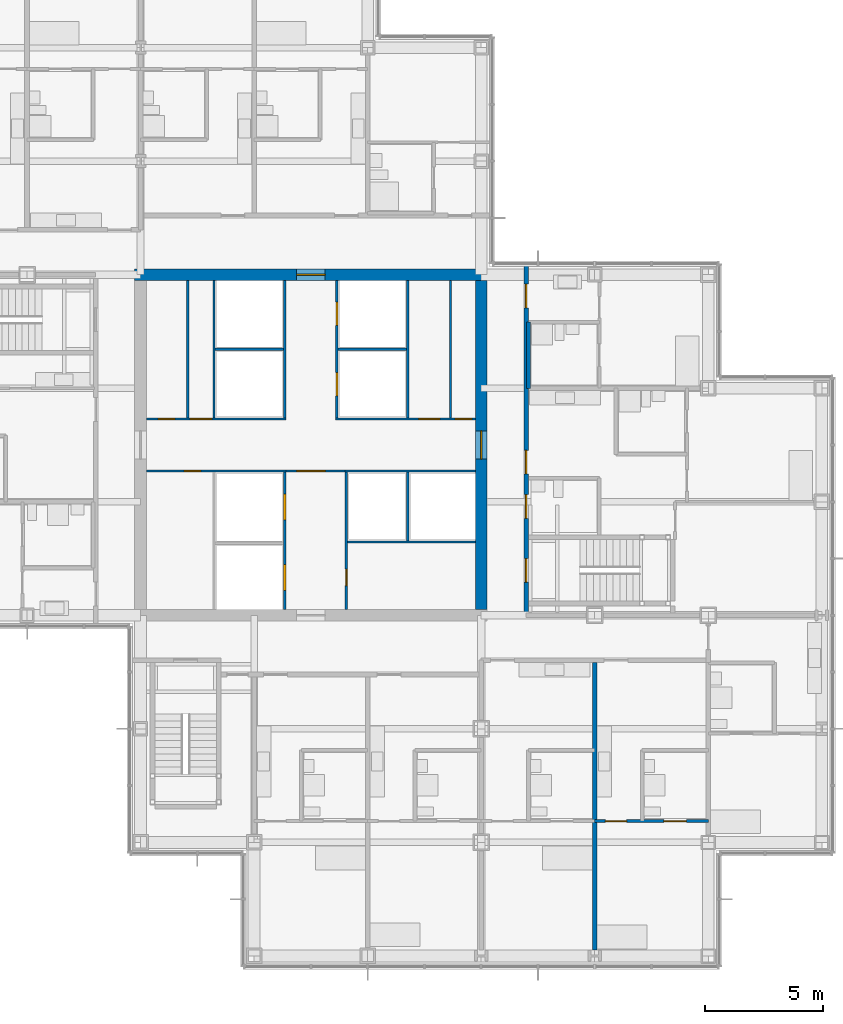
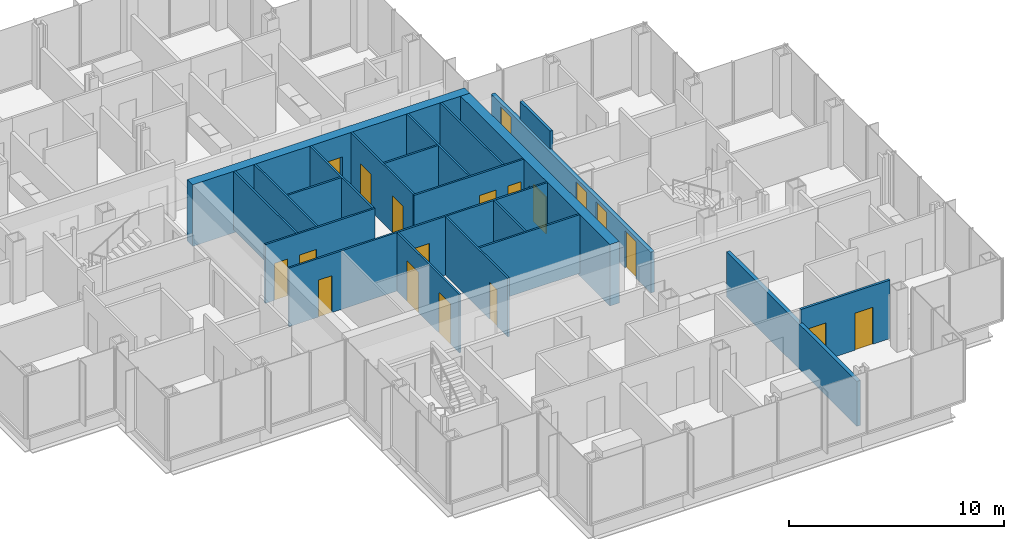
# One storey, part 14 of 19: 23 walls, 19 doors, 19 openings.
"""IFC4 building model written with IfcOpenShell, lengths in metres."""

from ifc_helpers import new_model, si_unit, direction, frame, frame_2d, origin, place, context, subcontext, project, spatial, rectangle, extrude, material, layer, layer_set, type_object, element, fill, save


model = new_model("IFC4")

# Units and contexts
model_context = context("Model", 3, precision=1e-05, world=origin(), true_north=direction((0.0, 1.0)))
body_context = subcontext(model_context, "Body", "Model", "MODEL_VIEW")
ifc_project = project(units=[si_unit("LENGTHUNIT", "METRE"), si_unit("AREAUNIT", "SQUARE_METRE"), si_unit("VOLUMEUNIT", "CUBIC_METRE"), si_unit("PLANEANGLEUNIT", "RADIAN"), si_unit("MASSUNIT", "GRAM", prefix="KILO")], contexts=[model_context])

# Site, building, storey
site_placement = place(None, origin())
site = spatial("IfcSite", under=ifc_project, at=site_placement, CompositionType="ELEMENT")
building_placement = place(site_placement, origin())
building = spatial("IfcBuilding", under=site, at=building_placement, Name="Kvirike Care Tower", CompositionType="ELEMENT")
storey_placement = place(building_placement, frame((0.0, 0.0, 87.5)))
storey = spatial("IfcBuildingStorey", under=building, at=storey_placement, Name="L23", CompositionType="ELEMENT", Elevation=87.5)

# Wall
ifc_material_1 = material(Name="Moisture-resistant board partition", Category="gypsum")
ifc_layer_1 = layer(ifc_material_1, 0.14990234375)
ifc_layer_set_1 = layer_set([ifc_layer_1], Name="BATHROOM WALL 150")
wall_type_1 = type_object("IfcWallType", Name="BATHROOM WALL 150", PredefinedType="PARTITIONING", material=ifc_layer_set_1)
wall_1_placement = place(storey_placement, frame((30.800048828125, 38.39990234375, 0.0), z_axis=(0.0, 0.0, 1.0), x_axis=(0.0, 1.0, 0.0)))
element("IfcWall", 1, at=wall_1_placement, inside=storey, type_object=wall_type_1, Name="Bathroom Wall 150 L23", PredefinedType="PARTITIONING", context=body_context, shape_type="SweptSolid", body=[
    extrude(rectangle(XDim=2.800048828125, YDim=0.14990234375, at=frame_2d((1.39990234375, 0.0))), origin(), (0.0, 0.0, 1.0), 3.330078125),
])

# Wall, opening, door
ifc_material_2 = material(Name="Concrete C50/60", Category="concrete")
ifc_layer_2 = layer(ifc_material_2, 0.5)
ifc_layer_set_2 = layer_set([ifc_layer_2], Name="CORE WALL 500 C50-60")
wall_type_2 = type_object("IfcWallType", Name="CORE WALL 500 C50-60", PredefinedType="SHEAR", material=ifc_layer_set_2)
wall_2_placement = place(storey_placement, frame((29.050048828125, 43.199951171875, -0.169921875), z_axis=(0.0, 0.0, 1.0), x_axis=(-1.0, 0.0, 0.0)))
wall_2 = element("IfcWall", 2, at=wall_2_placement, inside=storey, type_object=wall_type_2, Name="Core wall N L23", PredefinedType="SHEAR", context=body_context, shape_type="SweptSolid", body=[
    extrude(rectangle(XDim=14.900146484375, YDim=0.5, at=frame_2d((7.4501953125, 0.0))), origin(), (0.0, 0.0, 1.0), 3.5),
])
opening_1_placement = place(wall_2_placement, frame((6.85009765625, 0.0, 0.169921875)))
opening_1 = element("IfcOpeningElement", 3, at=opening_1_placement, cuts=wall_2, Name="Opening 23-068", PredefinedType="OPENING", context=body_context, shape_type="SweptSolid", body=[
    extrude(rectangle(XDim=1.199951171875, YDim=2.10009765625, at=frame_2d((0.60009765625, 1.050048828125))), frame((0.0, 0.260498046875, 0.0), z_axis=(0.0, -1.0, 0.0), x_axis=(1.0, 0.0, 0.0)), (0.0, 0.0, 1.0), 0.52099609375),
])
ifc_material_3 = material(Name="Timber door set", Category="wood")
door_type_1 = type_object("IfcDoorType", Name="CORE DOOR 1200", OperationType="SINGLE_SWING_LEFT", PredefinedType="DOOR", material=ifc_material_3)
door_1_placement = place(opening_1_placement, origin())
door_1 = element("IfcDoor", 4, at=door_1_placement, inside=storey, type_object=door_type_1, Name="Core door N L23", OperationType="SINGLE_SWING_LEFT", OverallHeight=2.10009765625, OverallWidth=1.199951171875, PredefinedType="DOOR", context=body_context, shape_type="SweptSolid", body=[
    extrude(rectangle(XDim=1.199951171875, YDim=2.10009765625, at=frame_2d((0.60009765625, 1.050048828125))), frame((0.0, 0.02685546875, 0.0), z_axis=(0.0, -1.0, 0.0), x_axis=(1.0, 0.0, 0.0)), (0.0, 0.0, 1.0), 0.053955078125),
])
fill(opening_1, door_1)

wall_3_placement = place(storey_placement, frame((28.800048828125, 29.050048828125, -0.169921875), z_axis=(0.0, 0.0, 1.0), x_axis=(0.0, 1.0, 0.0)))
wall_3 = element("IfcWall", 5, at=wall_3_placement, inside=storey, type_object=wall_type_2, Name="Core wall E L23", PredefinedType="SHEAR", context=body_context, shape_type="SweptSolid", body=[
    extrude(rectangle(XDim=13.89990234375, YDim=0.5, at=frame_2d((6.949951171875, 0.0))), origin(), (0.0, 0.0, 1.0), 3.5),
])
opening_2_placement = place(wall_3_placement, frame((6.35009765625, 0.0, 0.169921875)))
opening_2 = element("IfcOpeningElement", 6, at=opening_2_placement, cuts=wall_3, Name="Opening 23-067", PredefinedType="OPENING", context=body_context, shape_type="SweptSolid", body=[
    extrude(rectangle(XDim=1.199951171875, YDim=2.10009765625, at=frame_2d((0.60009765625, 1.050048828125))), frame((0.0, 0.260498046875, 0.0), z_axis=(0.0, -1.0, 0.0), x_axis=(1.0, 0.0, 0.0)), (0.0, 0.0, 1.0), 0.52099609375),
])
door_2_placement = place(opening_2_placement, origin())
door_2 = element("IfcDoor", 7, at=door_2_placement, inside=storey, type_object=door_type_1, Name="Core door E L23", OperationType="SINGLE_SWING_LEFT", OverallHeight=2.10009765625, OverallWidth=1.199951171875, PredefinedType="DOOR", context=body_context, shape_type="SweptSolid", body=[
    extrude(rectangle(XDim=1.199951171875, YDim=2.10009765625, at=frame_2d((0.60009765625, 1.050048828125))), frame((0.0, 0.02685546875, 0.0), z_axis=(0.0, -1.0, 0.0), x_axis=(1.0, 0.0, 0.0)), (0.0, 0.0, 1.0), 0.053955078125),
])
fill(opening_2, door_2)

# Wall, openings, doors
ifc_material_4 = material(Name="Plasterboard corridor wall", Category="gypsum")
ifc_layer_3 = layer(ifc_material_4, 0.199951171875)
ifc_layer_set_3 = layer_set([ifc_layer_3], Name="CORRIDOR WALL 200")
wall_type_3 = type_object("IfcWallType", Name="CORRIDOR WALL 200", PredefinedType="PARTITIONING", material=ifc_layer_set_3)
wall_4_placement = place(storey_placement, frame((30.699951171875, 28.800048828125, 0.0), z_axis=(0.0, 0.0, 1.0), x_axis=(0.0, 1.0, 0.0)))
wall_4 = element("IfcWall", 8, at=wall_4_placement, inside=storey, type_object=wall_type_3, Name="Corridor Wall 200 L23", PredefinedType="PARTITIONING", context=body_context, shape_type="SweptSolid", body=[
    extrude(rectangle(XDim=14.83984375, YDim=0.199951171875, at=frame_2d((7.419921875, 0.0))), origin(), (0.0, 0.0, 1.0), 2.320068359375),
])
opening_3_placement = place(wall_4_placement, frame((1.39990234375, 0.0, 0.0)))
opening_3 = element("IfcOpeningElement", 9, at=opening_3_placement, cuts=wall_4, Name="Opening 23-050", PredefinedType="OPENING", context=body_context, shape_type="SweptSolid", body=[
    extrude(rectangle(XDim=1.0, YDim=2.10009765625, at=frame_2d((0.5, 1.050048828125))), frame((0.0, 0.110595703125, 0.0), z_axis=(0.0, -1.0, 0.0), x_axis=(1.0, 0.0, 0.0)), (0.0, 0.0, 1.0), 0.220947265625),
])
opening_4_placement = place(wall_4_placement, frame((4.10009765625, 0.0, 0.0)))
opening_4 = element("IfcOpeningElement", 10, at=opening_4_placement, cuts=wall_4, Name="Opening 23-051", PredefinedType="OPENING", context=body_context, shape_type="SweptSolid", body=[
    extrude(rectangle(XDim=1.0, YDim=2.10009765625, at=frame_2d((0.5, 1.050048828125))), frame((0.0, 0.110595703125, 0.0), z_axis=(0.0, -1.0, 0.0), x_axis=(1.0, 0.0, 0.0)), (0.0, 0.0, 1.0), 0.220947265625),
])
opening_5_placement = place(wall_4_placement, frame((5.97509765625, 0.0, 0.0)))
opening_5 = element("IfcOpeningElement", 11, at=opening_5_placement, cuts=wall_4, Name="Opening 23-052", PredefinedType="OPENING", context=body_context, shape_type="SweptSolid", body=[
    extrude(rectangle(XDim=1.0, YDim=2.10009765625, at=frame_2d((0.5, 1.050048828125))), frame((0.0, 0.110595703125, 0.0), z_axis=(0.0, -1.0, 0.0), x_axis=(1.0, 0.0, 0.0)), (0.0, 0.0, 1.0), 0.220947265625),
])
opening_6_placement = place(wall_4_placement, frame((13.0, 0.0, 0.0)))
opening_6 = element("IfcOpeningElement", 12, at=opening_6_placement, cuts=wall_4, Name="Opening 23-053", PredefinedType="OPENING", context=body_context, shape_type="SweptSolid", body=[
    extrude(rectangle(XDim=1.0, YDim=2.10009765625, at=frame_2d((0.5, 1.050048828125))), frame((0.0, 0.110595703125, 0.0), z_axis=(0.0, -1.0, 0.0), x_axis=(1.0, 0.0, 0.0)), (0.0, 0.0, 1.0), 0.220947265625),
])
ifc_material_5 = material(Name="Timber door set", Category="wood")
door_type_2 = type_object("IfcDoorType", Name="FLAT ENTRANCE DOOR 1000", OperationType="SINGLE_SWING_LEFT", PredefinedType="DOOR", material=ifc_material_5)
door_3_placement = place(opening_5_placement, frame((1.0, 0.0, 0.0), z_axis=(0.0, 0.0, 1.0), x_axis=(-1.0, 0.0, 0.0)))
door_3 = element("IfcDoor", 13, at=door_3_placement, inside=storey, type_object=door_type_2, Name="Assisted living suite entrance", OperationType="SINGLE_SWING_LEFT", OverallHeight=2.10009765625, OverallWidth=1.0, PredefinedType="DOOR", context=body_context, shape_type="SweptSolid", body=[
    extrude(rectangle(XDim=1.0, YDim=2.10009765625, at=frame_2d((0.5, 1.050048828125))), frame((0.0, 0.02685546875, 0.0), z_axis=(0.0, -1.0, 0.0), x_axis=(1.0, 0.0, 0.0)), (0.0, 0.0, 1.0), 0.053955078125),
])
fill(opening_5, door_3)
door_4_placement = place(opening_6_placement, frame((1.0, 0.0, 0.0), z_axis=(0.0, 0.0, 1.0), x_axis=(-1.0, 0.0, 0.0)))
door_4 = element("IfcDoor", 14, at=door_4_placement, inside=storey, type_object=door_type_2, Name="Assisted living suite entrance", OperationType="SINGLE_SWING_RIGHT", OverallHeight=2.10009765625, OverallWidth=1.0, PredefinedType="DOOR", context=body_context, shape_type="SweptSolid", body=[
    extrude(rectangle(XDim=1.0, YDim=2.10009765625, at=frame_2d((0.5, 1.050048828125))), frame((0.0, 0.02685546875, 0.0), z_axis=(0.0, -1.0, 0.0), x_axis=(1.0, 0.0, 0.0)), (0.0, 0.0, 1.0), 0.053955078125),
])
fill(opening_6, door_4)
ifc_material_6 = material(Name="Timber door set", Category="wood")
door_type_3 = type_object("IfcDoorType", Name="STAIR DOOR 1000", OperationType="SINGLE_SWING_LEFT", PredefinedType="DOOR", material=ifc_material_6)
door_5_placement = place(opening_3_placement, frame((1.0, 0.0, 0.0), z_axis=(0.0, 0.0, 1.0), x_axis=(-1.0, 0.0, 0.0)))
door_5 = element("IfcDoor", 15, at=door_5_placement, inside=storey, type_object=door_type_3, Name="Stair 2 door", OperationType="SINGLE_SWING_LEFT", OverallHeight=2.10009765625, OverallWidth=1.0, PredefinedType="DOOR", context=body_context, shape_type="SweptSolid", body=[
    extrude(rectangle(XDim=1.0, YDim=2.10009765625, at=frame_2d((0.5, 1.050048828125))), frame((0.0, 0.031982421875, 0.0), z_axis=(0.0, -1.0, 0.0), x_axis=(1.0, 0.0, 0.0)), (0.0, 0.0, 1.0), 0.06396484375),
])
fill(opening_3, door_5)
ifc_material_7 = material(Name="Timber door set", Category="wood")
door_type_4 = type_object("IfcDoorType", Name="WC DOOR 1000", OperationType="SINGLE_SWING_LEFT", PredefinedType="DOOR", material=ifc_material_7)
door_6_placement = place(opening_4_placement, frame((1.0, 0.0, 0.0), z_axis=(0.0, 0.0, 1.0), x_axis=(-1.0, 0.0, 0.0)))
door_6 = element("IfcDoor", 16, at=door_6_placement, inside=storey, type_object=door_type_4, Name="Accessible WC door", OperationType="SINGLE_SWING_LEFT", OverallHeight=2.10009765625, OverallWidth=1.0, PredefinedType="DOOR", context=body_context, shape_type="SweptSolid", body=[
    extrude(rectangle(XDim=1.0, YDim=2.10009765625, at=frame_2d((0.5, 1.050048828125))), frame((0.0, 0.02685546875, 0.0), z_axis=(0.0, -1.0, 0.0), x_axis=(1.0, 0.0, 0.0)), (0.0, 0.0, 1.0), 0.053955078125),
])
fill(opening_4, door_6)

ifc_material_8 = material(Name="Plasterboard partition", Category="gypsum")
ifc_layer_4 = layer(ifc_material_8, 0.1201171875)
ifc_layer_set_4 = layer_set([ifc_layer_4], Name="PARTITION 120")
wall_type_4 = type_object("IfcWallType", Name="PARTITION 120", PredefinedType="PARTITIONING", material=ifc_layer_set_4)
wall_5_placement = place(storey_placement, frame((33.60009765625, 20.10009765625, 0.0), z_axis=(0.0, 0.0, 1.0), x_axis=(1.0, 0.0, 0.0)))
wall_5 = element("IfcWall", 17, at=wall_5_placement, inside=storey, type_object=wall_type_4, Name="Partition 120 L23", PredefinedType="PARTITIONING", context=body_context, shape_type="SweptSolid", body=[
    extrude(rectangle(XDim=4.7998046875, YDim=0.1201171875, at=frame_2d((2.39990234375, 0.0))), origin(), (0.0, 0.0, 1.0), 3.330078125),
])
opening_7_placement = place(wall_5_placement, frame((0.449951171875, 0.0, 0.0)))
opening_7 = element("IfcOpeningElement", 18, at=opening_7_placement, cuts=wall_5, Name="Opening 23-038", PredefinedType="OPENING", context=body_context, shape_type="SweptSolid", body=[
    extrude(rectangle(XDim=0.89990234375, YDim=2.10009765625, at=frame_2d((0.449951171875, 1.050048828125))), frame((0.0, 0.070556640625, 0.0), z_axis=(0.0, -1.0, 0.0), x_axis=(1.0, 0.0, 0.0)), (0.0, 0.0, 1.0), 0.14111328125),
])
opening_8_placement = place(wall_5_placement, frame((2.925048828125, 0.0, 0.0)))
opening_8 = element("IfcOpeningElement", 19, at=opening_8_placement, cuts=wall_5, Name="Opening 23-039", PredefinedType="OPENING", context=body_context, shape_type="SweptSolid", body=[
    extrude(rectangle(XDim=0.949951171875, YDim=2.10009765625, at=frame_2d((0.47509765625, 1.050048828125))), frame((0.0, 0.070556640625, 0.0), z_axis=(0.0, -1.0, 0.0), x_axis=(1.0, 0.0, 0.0)), (0.0, 0.0, 1.0), 0.14111328125),
])
ifc_material_9 = material(Name="Timber door set", Category="wood")
door_type_5 = type_object("IfcDoorType", Name="EN-SUITE SLIDING DOOR 950", OperationType="SLIDING_TO_LEFT", PredefinedType="DOOR", material=ifc_material_9)
door_7_placement = place(opening_8_placement, origin())
door_7 = element("IfcDoor", 20, at=door_7_placement, inside=storey, type_object=door_type_5, Name="En-suite door", OperationType="SLIDING_TO_LEFT", OverallHeight=2.10009765625, OverallWidth=0.949951171875, PredefinedType="DOOR", context=body_context, shape_type="SweptSolid", body=[
    extrude(rectangle(XDim=0.949951171875, YDim=2.10009765625, at=frame_2d((0.47509765625, 1.050048828125))), frame((0.0, 0.02197265625, 0.0), z_axis=(0.0, -1.0, 0.0), x_axis=(1.0, 0.0, 0.0)), (0.0, 0.0, 1.0), 0.0439453125),
])
fill(opening_8, door_7)
ifc_material_10 = material(Name="Timber door set", Category="wood")
door_type_6 = type_object("IfcDoorType", Name="INTERNAL DOOR 900", OperationType="SINGLE_SWING_LEFT", PredefinedType="DOOR", material=ifc_material_10)
door_8_placement = place(opening_7_placement, origin())
door_8 = element("IfcDoor", 21, at=door_8_placement, inside=storey, type_object=door_type_6, Name="Assisted living suite door", OperationType="SINGLE_SWING_RIGHT", OverallHeight=2.10009765625, OverallWidth=0.89990234375, PredefinedType="DOOR", context=body_context, shape_type="SweptSolid", body=[
    extrude(rectangle(XDim=0.89990234375, YDim=2.10009765625, at=frame_2d((0.449951171875, 1.050048828125))), frame((0.0, 0.02197265625, 0.0), z_axis=(0.0, -1.0, 0.0), x_axis=(1.0, 0.0, 0.0)), (0.0, 0.0, 1.0), 0.0439453125),
])
fill(opening_7, door_8)

# Walls
ifc_material_11 = material(Name="Plasterboard party wall", Category="gypsum")
ifc_layer_5 = layer(ifc_material_11, 0.199951171875)
ifc_layer_set_5 = layer_set([ifc_layer_5], Name="PARTY WALL 200")
wall_type_5 = type_object("IfcWallType", Name="PARTY WALL 200", PredefinedType="PARTITIONING", material=ifc_layer_set_5)
wall_6_placement = place(storey_placement, frame((33.60009765625, 14.64697265625, 0.0), z_axis=(0.0, 0.0, 1.0), x_axis=(0.0, 1.0, 0.0)))
element("IfcWall", 22, at=wall_6_placement, inside=storey, type_object=wall_type_5, Name="Party Wall 200 L23", PredefinedType="PARTITIONING", context=body_context, shape_type="SweptSolid", body=[
    extrude(rectangle(XDim=12.153076171875, YDim=0.199951171875, at=frame_2d((6.07666015625, 0.0))), origin(), (0.0, 0.0, 1.0), 2.550048828125),
])
ifc_material_12 = material(Name="Gypsum shaft wall system", Category="gypsum")
ifc_layer_6 = layer(ifc_material_12, 0.10009765625)
ifc_layer_set_6 = layer_set([ifc_layer_6], Name="SHAFT WALL 100")
wall_type_6 = type_object("IfcWallType", Name="SHAFT WALL 100", PredefinedType="SOLIDWALL", material=ifc_layer_set_6)
for number, where, z_axis, x_axis, name in (
    (23, (16.39990234375, 37.14990234375, 0.0), (0.0, 0.0, 1.0), (0.0, 1.0, 0.0), "Shaft Wall 100 L23"),
    (24, (27.5, 37.14990234375, 0.0), (0.0, 0.0, 1.0), (0.0, 1.0, 0.0), "Shaft Wall 100 L23"),
):
    element("IfcWall", number, at=place(storey_placement, frame(where, z_axis=z_axis, x_axis=x_axis)), inside=storey, type_object=wall_type_6, Name=name, PredefinedType="SOLIDWALL", context=body_context, shape_type="SweptSolid", body=[
        extrude(rectangle(XDim=5.800048828125, YDim=0.10009765625, at=frame_2d((2.89990234375, 0.0))), origin(), (0.0, 0.0, 1.0), 3.330078125),
    ])

# Wall, openings, doors
wall_7_placement = place(storey_placement, frame((20.5, 29.050048828125, 0.0), z_axis=(0.0, 0.0, 1.0), x_axis=(0.0, 1.0, 0.0)))
wall_7 = element("IfcWall", 25, at=wall_7_placement, inside=storey, type_object=wall_type_6, Name="Shaft Wall 100 L23", PredefinedType="SOLIDWALL", context=body_context, shape_type="SweptSolid", body=[
    extrude(rectangle(XDim=5.800048828125, YDim=0.10009765625, at=frame_2d((2.89990234375, 0.0))), origin(), (0.0, 0.0, 1.0), 3.330078125),
])
opening_9_placement = place(wall_7_placement, frame((0.800048828125, 0.0, 0.0)))
opening_9 = element("IfcOpeningElement", 26, at=opening_9_placement, cuts=wall_7, Name="Opening 23-054", PredefinedType="OPENING", context=body_context, shape_type="SweptSolid", body=[
    extrude(rectangle(XDim=1.10009765625, YDim=2.300048828125, at=frame_2d((0.550048828125, 1.14990234375))), frame((0.0, 0.060546875, 0.0), z_axis=(0.0, -1.0, 0.0), x_axis=(1.0, 0.0, 0.0)), (0.0, 0.0, 1.0), 0.12109375),
])
opening_10_placement = place(wall_7_placement, frame((3.77490234375, 0.0, 0.0)))
opening_10 = element("IfcOpeningElement", 27, at=opening_10_placement, cuts=wall_7, Name="Opening 23-055", PredefinedType="OPENING", context=body_context, shape_type="SweptSolid", body=[
    extrude(rectangle(XDim=1.10009765625, YDim=2.300048828125, at=frame_2d((0.550048828125, 1.14990234375))), frame((0.0, 0.060546875, 0.0), z_axis=(0.0, -1.0, 0.0), x_axis=(1.0, 0.0, 0.0)), (0.0, 0.0, 1.0), 0.12109375),
])
ifc_material_13 = material(Name="Aluminium door frame", Category="aluminium")
door_type_7 = type_object("IfcDoorType", Name="FIRE-FIGHTING LIFT LANDING DOOR 1100", OperationType="SLIDING_TO_LEFT", PredefinedType="DOOR", material=ifc_material_13)
door_9_placement = place(opening_9_placement, origin())
door_9 = element("IfcDoor", 28, at=door_9_placement, inside=storey, type_object=door_type_7, Name="Lift FF1 landing door", OperationType="SLIDING_TO_LEFT", OverallHeight=2.300048828125, OverallWidth=1.10009765625, PredefinedType="DOOR", context=body_context, shape_type="SweptSolid", body=[
    extrude(rectangle(XDim=1.10009765625, YDim=2.300048828125, at=frame_2d((0.550048828125, 1.14990234375))), frame((0.0, 0.0498046875, 0.0), z_axis=(0.0, -1.0, 0.0), x_axis=(1.0, 0.0, 0.0)), (0.0, 0.0, 1.0), 0.099609375),
])
fill(opening_9, door_9)
door_10_placement = place(opening_10_placement, origin())
door_10 = element("IfcDoor", 29, at=door_10_placement, inside=storey, type_object=door_type_7, Name="Lift FF2 landing door", OperationType="SLIDING_TO_LEFT", OverallHeight=2.300048828125, OverallWidth=1.10009765625, PredefinedType="DOOR", context=body_context, shape_type="SweptSolid", body=[
    extrude(rectangle(XDim=1.10009765625, YDim=2.300048828125, at=frame_2d((0.550048828125, 1.14990234375))), frame((0.0, 0.0498046875, 0.0), z_axis=(0.0, -1.0, 0.0), x_axis=(1.0, 0.0, 0.0)), (0.0, 0.0, 1.0), 0.099609375),
])
fill(opening_10, door_10)

# Wall
wall_8_placement = place(storey_placement, frame((20.5, 37.14990234375, 0.0), z_axis=(0.0, 0.0, 1.0), x_axis=(0.0, 1.0, 0.0)))
element("IfcWall", 30, at=wall_8_placement, inside=storey, type_object=wall_type_6, Name="Shaft Wall 100 L23", PredefinedType="SOLIDWALL", context=body_context, shape_type="SweptSolid", body=[
    extrude(rectangle(XDim=5.800048828125, YDim=0.10009765625, at=frame_2d((2.89990234375, 0.0))), origin(), (0.0, 0.0, 1.0), 3.330078125),
])

# Wall, openings, doors
wall_9_placement = place(storey_placement, frame((22.699951171875, 37.14990234375, 0.0), z_axis=(0.0, 0.0, 1.0), x_axis=(0.0, 1.0, 0.0)))
wall_9 = element("IfcWall", 31, at=wall_9_placement, inside=storey, type_object=wall_type_6, Name="Shaft Wall 100 L23", PredefinedType="SOLIDWALL", context=body_context, shape_type="SweptSolid", body=[
    extrude(rectangle(XDim=5.800048828125, YDim=0.10009765625, at=frame_2d((2.89990234375, 0.0))), origin(), (0.0, 0.0, 1.0), 3.330078125),
])
opening_11_placement = place(wall_9_placement, frame((0.925048828125, 0.0, 0.0)))
opening_11 = element("IfcOpeningElement", 32, at=opening_11_placement, cuts=wall_9, Name="Opening 23-056", PredefinedType="OPENING", context=body_context, shape_type="SweptSolid", body=[
    extrude(rectangle(XDim=1.0, YDim=2.10009765625, at=frame_2d((0.5, 1.050048828125))), frame((0.0, 0.060546875, 0.0), z_axis=(0.0, -1.0, 0.0), x_axis=(1.0, 0.0, 0.0)), (0.0, 0.0, 1.0), 0.12109375),
])
opening_12_placement = place(wall_9_placement, frame((3.89990234375, 0.0, 0.0)))
opening_12 = element("IfcOpeningElement", 33, at=opening_12_placement, cuts=wall_9, Name="Opening 23-057", PredefinedType="OPENING", context=body_context, shape_type="SweptSolid", body=[
    extrude(rectangle(XDim=1.0, YDim=2.10009765625, at=frame_2d((0.5, 1.050048828125))), frame((0.0, 0.060546875, 0.0), z_axis=(0.0, -1.0, 0.0), x_axis=(1.0, 0.0, 0.0)), (0.0, 0.0, 1.0), 0.12109375),
])
ifc_material_14 = material(Name="Aluminium door frame", Category="aluminium")
door_type_8 = type_object("IfcDoorType", Name="LIFT LANDING DOOR 1000", OperationType="SLIDING_TO_LEFT", PredefinedType="DOOR", material=ifc_material_14)
door_11_placement = place(opening_11_placement, origin())
door_11 = element("IfcDoor", 34, at=door_11_placement, inside=storey, type_object=door_type_8, Name="Lift P3 landing door", OperationType="SLIDING_TO_LEFT", OverallHeight=2.10009765625, OverallWidth=1.0, PredefinedType="DOOR", context=body_context, shape_type="SweptSolid", body=[
    extrude(rectangle(XDim=1.0, YDim=2.10009765625, at=frame_2d((0.5, 1.050048828125))), frame((0.0, 0.0498046875, 0.0), z_axis=(0.0, -1.0, 0.0), x_axis=(1.0, 0.0, 0.0)), (0.0, 0.0, 1.0), 0.099609375),
])
fill(opening_11, door_11)
door_12_placement = place(opening_12_placement, origin())
door_12 = element("IfcDoor", 35, at=door_12_placement, inside=storey, type_object=door_type_8, Name="Lift P4 landing door", OperationType="SLIDING_TO_LEFT", OverallHeight=2.10009765625, OverallWidth=1.0, PredefinedType="DOOR", context=body_context, shape_type="SweptSolid", body=[
    extrude(rectangle(XDim=1.0, YDim=2.10009765625, at=frame_2d((0.5, 1.050048828125))), frame((0.0, 0.0498046875, 0.0), z_axis=(0.0, -1.0, 0.0), x_axis=(1.0, 0.0, 0.0)), (0.0, 0.0, 1.0), 0.099609375),
])
fill(opening_12, door_12)

# Wall, opening, door
wall_10_placement = place(storey_placement, frame((23.10009765625, 29.050048828125, 0.0), z_axis=(0.0, 0.0, 1.0), x_axis=(0.0, 1.0, 0.0)))
wall_10 = element("IfcWall", 36, at=wall_10_placement, inside=storey, type_object=wall_type_6, Name="Shaft Wall 100 L23", PredefinedType="SOLIDWALL", context=body_context, shape_type="SweptSolid", body=[
    extrude(rectangle(XDim=5.800048828125, YDim=0.10009765625, at=frame_2d((2.89990234375, 0.0))), origin(), (0.0, 0.0, 1.0), 3.330078125),
])
opening_13_placement = place(wall_10_placement, frame((1.0, 0.0, 0.0)))
opening_13 = element("IfcOpeningElement", 37, at=opening_13_placement, cuts=wall_10, Name="Opening 23-058", PredefinedType="OPENING", context=body_context, shape_type="SweptSolid", body=[
    extrude(rectangle(XDim=0.699951171875, YDim=2.10009765625, at=frame_2d((0.35009765625, 1.050048828125))), frame((0.0, 0.060546875, 0.0), z_axis=(0.0, -1.0, 0.0), x_axis=(1.0, 0.0, 0.0)), (0.0, 0.0, 1.0), 0.12109375),
])
ifc_material_15 = material(Name="Timber door set", Category="wood")
door_type_9 = type_object("IfcDoorType", Name="RISER DOOR 700", OperationType="SINGLE_SWING_LEFT", PredefinedType="DOOR", material=ifc_material_15)
door_13_placement = place(opening_13_placement, origin())
door_13 = element("IfcDoor", 38, at=door_13_placement, inside=storey, type_object=door_type_9, Name="Riser door", OperationType="SINGLE_SWING_RIGHT", OverallHeight=2.10009765625, OverallWidth=0.699951171875, PredefinedType="DOOR", context=body_context, shape_type="SweptSolid", body=[
    extrude(rectangle(XDim=0.699951171875, YDim=2.10009765625, at=frame_2d((0.35009765625, 1.050048828125))), frame((0.0, 0.02685546875, 0.0), z_axis=(0.0, -1.0, 0.0), x_axis=(1.0, 0.0, 0.0)), (0.0, 0.0, 1.0), 0.053955078125),
])
fill(opening_13, door_13)

wall_11_placement = place(storey_placement, frame((14.64990234375, 34.89990234375, 0.0), z_axis=(0.0, 0.0, 1.0), x_axis=(1.0, 0.0, 0.0)))
wall_11 = element("IfcWall", 39, at=wall_11_placement, inside=storey, type_object=wall_type_6, Name="Shaft Wall 100 L23", PredefinedType="SOLIDWALL", context=body_context, shape_type="SweptSolid", body=[
    extrude(rectangle(XDim=5.900146484375, YDim=0.10009765625, at=frame_2d((2.9501953125, 0.0))), origin(), (0.0, 0.0, 1.0), 3.330078125),
])
opening_14_placement = place(wall_11_placement, frame((1.60009765625, 0.0, 0.0)))
opening_14 = element("IfcOpeningElement", 40, at=opening_14_placement, cuts=wall_11, Name="Opening 23-059", PredefinedType="OPENING", context=body_context, shape_type="SweptSolid", body=[
    extrude(rectangle(XDim=0.699951171875, YDim=2.10009765625, at=frame_2d((0.35009765625, 1.050048828125))), frame((0.0, 0.060546875, 0.0), z_axis=(0.0, -1.0, 0.0), x_axis=(1.0, 0.0, 0.0)), (0.0, 0.0, 1.0), 0.12109375),
])
door_14_placement = place(opening_14_placement, frame((0.699951171875, 0.0, 0.0), z_axis=(0.0, 0.0, 1.0), x_axis=(-1.0, 0.0, 0.0)))
door_14 = element("IfcDoor", 41, at=door_14_placement, inside=storey, type_object=door_type_9, Name="Riser door", OperationType="SINGLE_SWING_RIGHT", OverallHeight=2.10009765625, OverallWidth=0.699951171875, PredefinedType="DOOR", context=body_context, shape_type="SweptSolid", body=[
    extrude(rectangle(XDim=0.699951171875, YDim=2.10009765625, at=frame_2d((0.35009765625, 1.050048828125))), frame((0.0, 0.02685546875, 0.0), z_axis=(0.0, -1.0, 0.0), x_axis=(1.0, 0.0, 0.0)), (0.0, 0.0, 1.0), 0.053955078125),
])
fill(opening_14, door_14)

# Wall
wall_12_placement = place(storey_placement, frame((23.050048828125, 34.89990234375, 0.0), z_axis=(0.0, 0.0, 1.0), x_axis=(1.0, 0.0, 0.0)))
element("IfcWall", 42, at=wall_12_placement, inside=storey, type_object=wall_type_6, Name="Shaft Wall 100 L23", PredefinedType="SOLIDWALL", context=body_context, shape_type="SweptSolid", body=[
    extrude(rectangle(XDim=5.5, YDim=0.10009765625, at=frame_2d((2.75, 0.0))), origin(), (0.0, 0.0, 1.0), 3.330078125),
])

# Wall, openings, doors
wall_13_placement = place(storey_placement, frame((14.64990234375, 37.10009765625, 0.0), z_axis=(0.0, 0.0, 1.0), x_axis=(1.0, 0.0, 0.0)))
wall_13 = element("IfcWall", 43, at=wall_13_placement, inside=storey, type_object=wall_type_6, Name="Shaft Wall 100 L23", PredefinedType="SOLIDWALL", context=body_context, shape_type="SweptSolid", body=[
    extrude(rectangle(XDim=5.900146484375, YDim=0.10009765625, at=frame_2d((2.9501953125, 0.0))), origin(), (0.0, 0.0, 1.0), 3.330078125),
])
opening_15_placement = place(wall_13_placement, frame((0.5, 0.0, 0.0)))
opening_15 = element("IfcOpeningElement", 44, at=opening_15_placement, cuts=wall_13, Name="Opening 23-060", PredefinedType="OPENING", context=body_context, shape_type="SweptSolid", body=[
    extrude(rectangle(XDim=0.699951171875, YDim=2.10009765625, at=frame_2d((0.35009765625, 1.050048828125))), frame((0.0, 0.060546875, 0.0), z_axis=(0.0, -1.0, 0.0), x_axis=(1.0, 0.0, 0.0)), (0.0, 0.0, 1.0), 0.12109375),
])
opening_16_placement = place(wall_13_placement, frame((1.85009765625, 0.0, 0.0)))
opening_16 = element("IfcOpeningElement", 45, at=opening_16_placement, cuts=wall_13, Name="Opening 23-061", PredefinedType="OPENING", context=body_context, shape_type="SweptSolid", body=[
    extrude(rectangle(XDim=0.89990234375, YDim=2.10009765625, at=frame_2d((0.449951171875, 1.050048828125))), frame((0.0, 0.060546875, 0.0), z_axis=(0.0, -1.0, 0.0), x_axis=(1.0, 0.0, 0.0)), (0.0, 0.0, 1.0), 0.12109375),
])
door_15_placement = place(opening_15_placement, origin())
door_15 = element("IfcDoor", 46, at=door_15_placement, inside=storey, type_object=door_type_9, Name="Riser door", OperationType="SINGLE_SWING_RIGHT", OverallHeight=2.10009765625, OverallWidth=0.699951171875, PredefinedType="DOOR", context=body_context, shape_type="SweptSolid", body=[
    extrude(rectangle(XDim=0.699951171875, YDim=2.10009765625, at=frame_2d((0.35009765625, 1.050048828125))), frame((0.0, 0.02685546875, 0.0), z_axis=(0.0, -1.0, 0.0), x_axis=(1.0, 0.0, 0.0)), (0.0, 0.0, 1.0), 0.053955078125),
])
fill(opening_15, door_15)
ifc_material_16 = material(Name="Timber door set", Category="wood")
door_type_10 = type_object("IfcDoorType", Name="STORE DOOR 900", OperationType="SINGLE_SWING_LEFT", PredefinedType="DOOR", material=ifc_material_16)
door_16_placement = place(opening_16_placement, origin())
door_16 = element("IfcDoor", 47, at=door_16_placement, inside=storey, type_object=door_type_10, Name="Vending and ice room door", OperationType="SINGLE_SWING_RIGHT", OverallHeight=2.10009765625, OverallWidth=0.89990234375, PredefinedType="DOOR", context=body_context, shape_type="SweptSolid", body=[
    extrude(rectangle(XDim=0.89990234375, YDim=2.10009765625, at=frame_2d((0.449951171875, 1.050048828125))), frame((0.0, 0.02685546875, 0.0), z_axis=(0.0, -1.0, 0.0), x_axis=(1.0, 0.0, 0.0)), (0.0, 0.0, 1.0), 0.053955078125),
])
fill(opening_16, door_16)

wall_14_placement = place(storey_placement, frame((22.64990234375, 37.10009765625, 0.0), z_axis=(0.0, 0.0, 1.0), x_axis=(1.0, 0.0, 0.0)))
wall_14 = element("IfcWall", 48, at=wall_14_placement, inside=storey, type_object=wall_type_6, Name="Shaft Wall 100 L23", PredefinedType="SOLIDWALL", context=body_context, shape_type="SweptSolid", body=[
    extrude(rectangle(XDim=5.900146484375, YDim=0.10009765625, at=frame_2d((2.9501953125, 0.0))), origin(), (0.0, 0.0, 1.0), 3.330078125),
])
opening_17_placement = place(wall_14_placement, frame((3.5, 0.0, 0.0)))
opening_17 = element("IfcOpeningElement", 49, at=opening_17_placement, cuts=wall_14, Name="Opening 23-062", PredefinedType="OPENING", context=body_context, shape_type="SweptSolid", body=[
    extrude(rectangle(XDim=0.89990234375, YDim=2.10009765625, at=frame_2d((0.449951171875, 1.050048828125))), frame((0.0, 0.060546875, 0.0), z_axis=(0.0, -1.0, 0.0), x_axis=(1.0, 0.0, 0.0)), (0.0, 0.0, 1.0), 0.12109375),
])
opening_18_placement = place(wall_14_placement, frame((5.050048828125, 0.0, 0.0)))
opening_18 = element("IfcOpeningElement", 50, at=opening_18_placement, cuts=wall_14, Name="Opening 23-063", PredefinedType="OPENING", context=body_context, shape_type="SweptSolid", body=[
    extrude(rectangle(XDim=0.699951171875, YDim=2.10009765625, at=frame_2d((0.35009765625, 1.050048828125))), frame((0.0, 0.060546875, 0.0), z_axis=(0.0, -1.0, 0.0), x_axis=(1.0, 0.0, 0.0)), (0.0, 0.0, 1.0), 0.12109375),
])
door_17_placement = place(opening_18_placement, origin())
door_17 = element("IfcDoor", 51, at=door_17_placement, inside=storey, type_object=door_type_9, Name="Riser door", OperationType="SINGLE_SWING_LEFT", OverallHeight=2.10009765625, OverallWidth=0.699951171875, PredefinedType="DOOR", context=body_context, shape_type="SweptSolid", body=[
    extrude(rectangle(XDim=0.699951171875, YDim=2.10009765625, at=frame_2d((0.35009765625, 1.050048828125))), frame((0.0, 0.02685546875, 0.0), z_axis=(0.0, -1.0, 0.0), x_axis=(1.0, 0.0, 0.0)), (0.0, 0.0, 1.0), 0.053955078125),
])
fill(opening_18, door_17)
door_18_placement = place(opening_17_placement, origin())
door_18 = element("IfcDoor", 52, at=door_18_placement, inside=storey, type_object=door_type_10, Name="Records store door", OperationType="SINGLE_SWING_LEFT", OverallHeight=2.10009765625, OverallWidth=0.89990234375, PredefinedType="DOOR", context=body_context, shape_type="SweptSolid", body=[
    extrude(rectangle(XDim=0.89990234375, YDim=2.10009765625, at=frame_2d((0.449951171875, 1.050048828125))), frame((0.0, 0.02685546875, 0.0), z_axis=(0.0, -1.0, 0.0), x_axis=(1.0, 0.0, 0.0)), (0.0, 0.0, 1.0), 0.053955078125),
])
fill(opening_17, door_18)

# Wall, opening, door
wall_15_placement = place(storey_placement, frame((20.550048828125, 34.89990234375, 0.0), z_axis=(0.0, 0.0, 1.0), x_axis=(1.0, 0.0, 0.0)))
wall_15 = element("IfcWall", 53, at=wall_15_placement, inside=storey, type_object=wall_type_6, Name="Shaft Wall 100 L23", PredefinedType="SOLIDWALL", context=body_context, shape_type="SweptSolid", body=[
    extrude(rectangle(XDim=2.5, YDim=0.10009765625, at=frame_2d((1.25, 0.0))), origin(), (0.0, 0.0, 1.0), 3.330078125),
])
opening_19_placement = place(wall_15_placement, frame((0.449951171875, 0.0, 0.0)))
opening_19 = element("IfcOpeningElement", 54, at=opening_19_placement, cuts=wall_15, Name="Opening 23-064", PredefinedType="OPENING", context=body_context, shape_type="SweptSolid", body=[
    extrude(rectangle(XDim=1.199951171875, YDim=2.10009765625, at=frame_2d((0.60009765625, 1.050048828125))), frame((0.0, 0.060546875, 0.0), z_axis=(0.0, -1.0, 0.0), x_axis=(1.0, 0.0, 0.0)), (0.0, 0.0, 1.0), 0.12109375),
])
door_19_placement = place(opening_19_placement, frame((1.199951171875, 0.0, 0.0), z_axis=(0.0, 0.0, 1.0), x_axis=(-1.0, 0.0, 0.0)))
door_19 = element("IfcDoor", 55, at=door_19_placement, inside=storey, type_object=door_type_1, Name="Fire-fighting lobby door", OperationType="SINGLE_SWING_LEFT", OverallHeight=2.10009765625, OverallWidth=1.199951171875, PredefinedType="DOOR", context=body_context, shape_type="SweptSolid", body=[
    extrude(rectangle(XDim=1.199951171875, YDim=2.10009765625, at=frame_2d((0.60009765625, 1.050048828125))), frame((0.0, 0.02685546875, 0.0), z_axis=(0.0, -1.0, 0.0), x_axis=(1.0, 0.0, 0.0)), (0.0, 0.0, 1.0), 0.053955078125),
])
fill(opening_19, door_19)

# Walls
wall_16_placement = place(storey_placement, frame((17.5, 37.14990234375, 0.0), z_axis=(0.0, 0.0, 1.0), x_axis=(0.0, 1.0, 0.0)))
element("IfcWall", 56, at=wall_16_placement, inside=storey, type_object=wall_type_6, Name="Shaft Wall 100 L23", PredefinedType="SOLIDWALL", context=body_context, shape_type="SweptSolid", body=[
    extrude(rectangle(XDim=5.800048828125, YDim=0.10009765625, at=frame_2d((2.89990234375, 0.0))), origin(), (0.0, 0.0, 1.0), 3.330078125),
])
for number, where, z_axis, x_axis, name in (
    (57, (17.550048828125, 40.050048828125, 0.0), (0.0, 0.0, 1.0), (1.0, 0.0, 0.0), "Shaft Wall 100 L23"),
    (58, (22.75, 40.050048828125, 0.0), (0.0, 0.0, 1.0), (1.0, 0.0, 0.0), "Shaft Wall 100 L23"),
):
    element("IfcWall", number, at=place(storey_placement, frame(where, z_axis=z_axis, x_axis=x_axis)), inside=storey, type_object=wall_type_6, Name=name, PredefinedType="SOLIDWALL", context=body_context, shape_type="SweptSolid", body=[
        extrude(rectangle(XDim=2.89990234375, YDim=0.10009765625, at=frame_2d((1.449951171875, 0.0))), origin(), (0.0, 0.0, 1.0), 3.330078125),
    ])
wall_17_placement = place(storey_placement, frame((25.699951171875, 37.14990234375, 0.0), z_axis=(0.0, 0.0, 1.0), x_axis=(0.0, 1.0, 0.0)))
element("IfcWall", 59, at=wall_17_placement, inside=storey, type_object=wall_type_6, Name="Shaft Wall 100 L23", PredefinedType="SOLIDWALL", context=body_context, shape_type="SweptSolid", body=[
    extrude(rectangle(XDim=5.800048828125, YDim=0.10009765625, at=frame_2d((2.89990234375, 0.0))), origin(), (0.0, 0.0, 1.0), 3.330078125),
])
wall_18_placement = place(storey_placement, frame((25.699951171875, 31.949951171875, 0.0), z_axis=(0.0, 0.0, 1.0), x_axis=(0.0, 1.0, 0.0)))
element("IfcWall", 60, at=wall_18_placement, inside=storey, type_object=wall_type_6, Name="Shaft Wall 100 L23", PredefinedType="SOLIDWALL", context=body_context, shape_type="SweptSolid", body=[
    extrude(rectangle(XDim=2.900146484375, YDim=0.10009765625, at=frame_2d((1.4501953125, 0.0))), origin(), (0.0, 0.0, 1.0), 3.330078125),
])
wall_19_placement = place(storey_placement, frame((23.14990234375, 31.89990234375, 0.0), z_axis=(0.0, 0.0, 1.0), x_axis=(1.0, 0.0, 0.0)))
element("IfcWall", 61, at=wall_19_placement, inside=storey, type_object=wall_type_6, Name="Shaft Wall 100 L23", PredefinedType="SOLIDWALL", context=body_context, shape_type="SweptSolid", body=[
    extrude(rectangle(XDim=5.400146484375, YDim=0.10009765625, at=frame_2d((2.7001953125, 0.0))), origin(), (0.0, 0.0, 1.0), 3.330078125),
])

save(model, "model.ifc")
